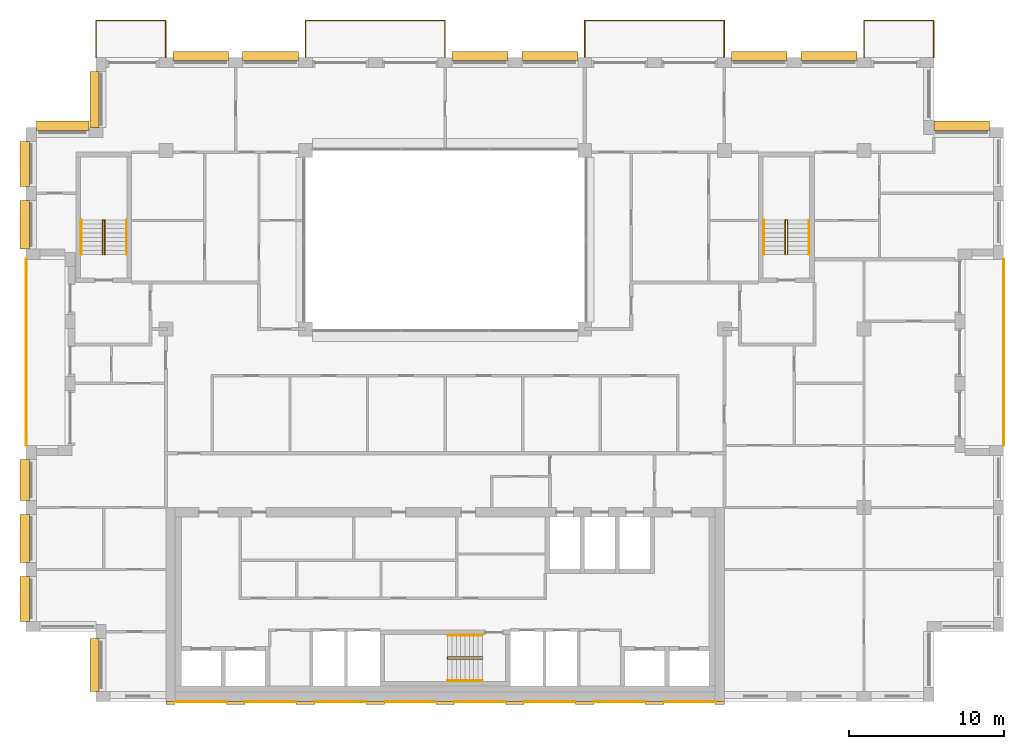
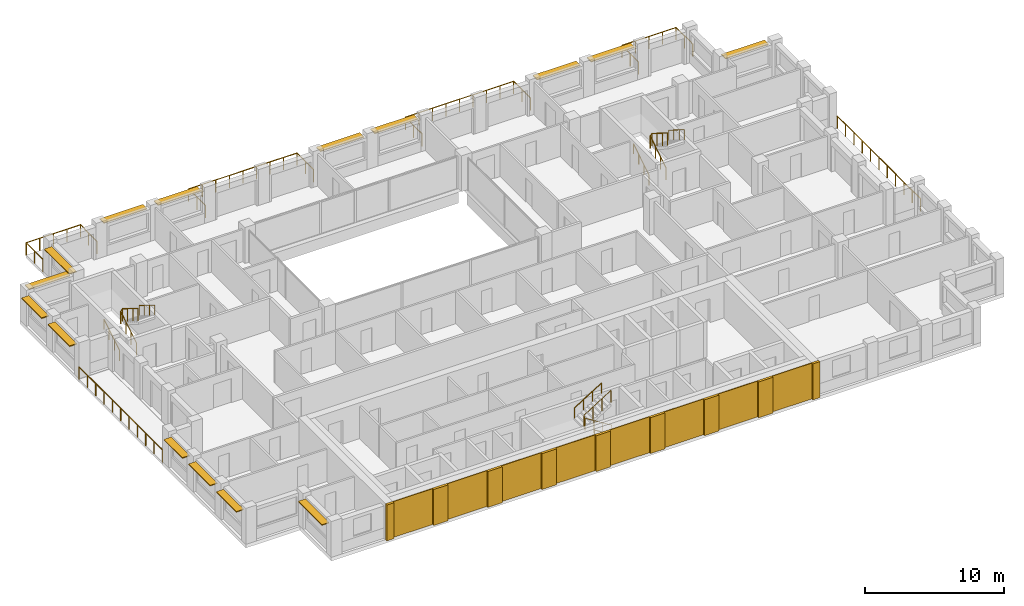
# One storey, part 15 of 15: 17 coverings, 15 railings, 15 shading devices.
"""IFC4 building model written with IfcOpenShell, lengths in metres."""

from ifc_helpers import new_model, si_unit, direction, frame, origin, origin_2d, place, context, subcontext, project, spatial, rectangle, circle, extrude, material, layer, layer_set, type_object, element, save


model = new_model("IFC4")

# Units and contexts
model_context = context("Model", 3, precision=1e-05, world=origin(), true_north=direction((0.0, 1.0)))
body_context = subcontext(model_context, "Body", "Model", "MODEL_VIEW")
ifc_project = project(units=[si_unit("LENGTHUNIT", "METRE"), si_unit("AREAUNIT", "SQUARE_METRE"), si_unit("VOLUMEUNIT", "CUBIC_METRE"), si_unit("PLANEANGLEUNIT", "RADIAN"), si_unit("MASSUNIT", "GRAM", prefix="KILO")], contexts=[model_context])

# Site, building, storey
site_placement = place(None, origin())
site = spatial("IfcSite", under=ifc_project, at=site_placement, CompositionType="ELEMENT")
building_placement = place(site_placement, origin())
building = spatial("IfcBuilding", under=site, at=building_placement, Name="Brigalow Station Residences", CompositionType="ELEMENT")
storey_placement = place(building_placement, frame((0.0, 0.0, 210.60009765625)))
storey = spatial("IfcBuildingStorey", under=building, at=storey_placement, Name="L60", CompositionType="ELEMENT", Elevation=210.60009765625)

# Railings
ifc_material_1 = material(Name="Stainless steel balustrade with laminated glass infill", Category="steel")
railing_type_1 = type_object("IfcRailingType", Name="BALCONY GUARD 1100", PredefinedType="GUARDRAIL", material=ifc_material_1)
railing_1_placement = place(storey_placement, frame((72.0, 16.5, -0.0400390625)))
element("IfcRailing", 1, at=railing_1_placement, inside=storey, type_object=railing_type_1, Name="L60/balcony-guard/1", PredefinedType="GUARDRAIL", context=body_context, shape_type="SweptSolid", body=[
    extrude(circle(Radius=0.02392578125, at=origin_2d()), frame((0.0, 0.0, 1.076171875), z_axis=(0.0, 1.0, 0.0), x_axis=(-1.0, 0.0, 0.0)), (0.0, 0.0, 1.0), 12.0),
    extrude(circle(Radius=0.02099609375, at=origin_2d()), origin(), (0.0, 0.0, 1.0), 1.052001953125),
    extrude(circle(Radius=0.02099609375, at=origin_2d()), frame((0.0, 1.199951171875, 0.0)), (0.0, 0.0, 1.0), 1.052001953125),
    extrude(circle(Radius=0.02099609375, at=origin_2d()), frame((0.0, 2.39990234375, 0.0)), (0.0, 0.0, 1.0), 1.052001953125),
    extrude(circle(Radius=0.02099609375, at=origin_2d()), frame((0.0, 3.60009765625, 0.0)), (0.0, 0.0, 1.0), 1.052001953125),
    extrude(circle(Radius=0.02099609375, at=origin_2d()), frame((0.0, 4.800048828125, 0.0)), (0.0, 0.0, 1.0), 1.052001953125),
    extrude(circle(Radius=0.02099609375, at=origin_2d()), frame((0.0, 6.0, 0.0)), (0.0, 0.0, 1.0), 1.052001953125),
    extrude(circle(Radius=0.02099609375, at=origin_2d()), frame((0.0, 7.199951171875, 0.0)), (0.0, 0.0, 1.0), 1.052001953125),
    extrude(circle(Radius=0.02099609375, at=origin_2d()), frame((0.0, 8.39990234375, 0.0)), (0.0, 0.0, 1.0), 1.052001953125),
    extrude(circle(Radius=0.02099609375, at=origin_2d()), frame((0.0, 9.60009765625, 0.0)), (0.0, 0.0, 1.0), 1.052001953125),
    extrude(circle(Radius=0.02099609375, at=origin_2d()), frame((0.0, 10.800048828125, 0.0)), (0.0, 0.0, 1.0), 1.052001953125),
    extrude(circle(Radius=0.02099609375, at=origin_2d()), frame((0.0, 12.0, 0.0)), (0.0, 0.0, 1.0), 1.052001953125),
])
railing_2_placement = place(storey_placement, frame((67.5, 41.5, -0.0400390625)))
element("IfcRailing", 2, at=railing_2_placement, inside=storey, type_object=railing_type_1, Name="L60/balcony-guard/2", PredefinedType="GUARDRAIL", context=body_context, shape_type="SweptSolid", body=[
    extrude(circle(Radius=0.02392578125, at=origin_2d()), frame((0.0, 0.0, 1.076171875), z_axis=(0.0, 1.0, 0.0), x_axis=(-1.0, 0.0, 0.0)), (0.0, 0.0, 1.0), 2.39990234375),
    extrude(circle(Radius=0.02392578125, at=origin_2d()), frame((0.0, 2.39990234375, 1.076171875), z_axis=(-1.0, 0.0, 0.0), x_axis=(0.0, -1.0, 0.0)), (0.0, 0.0, 1.0), 4.5),
    extrude(circle(Radius=0.02392578125, at=origin_2d()), frame((-4.5, 2.39990234375, 1.076171875), z_axis=(0.0, -1.0, 0.0), x_axis=(1.0, 0.0, 0.0)), (0.0, 0.0, 1.0), 2.39990234375),
    extrude(circle(Radius=0.02099609375, at=origin_2d()), origin(), (0.0, 0.0, 1.0), 1.052001953125),
    extrude(circle(Radius=0.02099609375, at=origin_2d()), frame((0.0, 1.199951171875, 0.0)), (0.0, 0.0, 1.0), 1.052001953125),
    extrude(circle(Radius=0.02099609375, at=origin_2d()), frame((0.0, 2.39990234375, 0.0)), (0.0, 0.0, 1.0), 1.052001953125),
    extrude(circle(Radius=0.02099609375, at=origin_2d()), frame((-1.125, 2.39990234375, 0.0)), (0.0, 0.0, 1.0), 1.052001953125),
    extrude(circle(Radius=0.02099609375, at=origin_2d()), frame((-2.25, 2.39990234375, 0.0)), (0.0, 0.0, 1.0), 1.052001953125),
    extrude(circle(Radius=0.02099609375, at=origin_2d()), frame((-3.375, 2.39990234375, 0.0)), (0.0, 0.0, 1.0), 1.052001953125),
    extrude(circle(Radius=0.02099609375, at=origin_2d()), frame((-4.5, 2.39990234375, 0.0)), (0.0, 0.0, 1.0), 1.052001953125),
    extrude(circle(Radius=0.02099609375, at=origin_2d()), frame((-4.5, 1.199951171875, 0.0)), (0.0, 0.0, 1.0), 1.052001953125),
    extrude(circle(Radius=0.02099609375, at=origin_2d()), frame((-4.5, 0.0, 0.0)), (0.0, 0.0, 1.0), 1.052001953125),
])
railing_3_placement = place(storey_placement, frame((54.0, 41.5, -0.0400390625)))
element("IfcRailing", 3, at=railing_3_placement, inside=storey, type_object=railing_type_1, Name="L60/balcony-guard/3", PredefinedType="GUARDRAIL", context=body_context, shape_type="SweptSolid", body=[
    extrude(circle(Radius=0.02392578125, at=origin_2d()), frame((0.0, 0.0, 1.076171875), z_axis=(0.0, 1.0, 0.0), x_axis=(-1.0, 0.0, 0.0)), (0.0, 0.0, 1.0), 2.39990234375),
    extrude(circle(Radius=0.02392578125, at=origin_2d()), frame((0.0, 2.39990234375, 1.076171875), z_axis=(-1.0, 0.0, 0.0), x_axis=(0.0, -1.0, 0.0)), (0.0, 0.0, 1.0), 9.0),
    extrude(circle(Radius=0.02392578125, at=origin_2d()), frame((-9.0, 2.39990234375, 1.076171875), z_axis=(0.0, -1.0, 0.0), x_axis=(1.0, 0.0, 0.0)), (0.0, 0.0, 1.0), 2.39990234375),
    extrude(circle(Radius=0.02099609375, at=origin_2d()), origin(), (0.0, 0.0, 1.0), 1.052001953125),
    extrude(circle(Radius=0.02099609375, at=origin_2d()), frame((0.0, 1.199951171875, 0.0)), (0.0, 0.0, 1.0), 1.052001953125),
    extrude(circle(Radius=0.02099609375, at=origin_2d()), frame((0.0, 2.39990234375, 0.0)), (0.0, 0.0, 1.0), 1.052001953125),
    extrude(circle(Radius=0.02099609375, at=origin_2d()), frame((-1.125, 2.39990234375, 0.0)), (0.0, 0.0, 1.0), 1.052001953125),
    extrude(circle(Radius=0.02099609375, at=origin_2d()), frame((-2.25, 2.39990234375, 0.0)), (0.0, 0.0, 1.0), 1.052001953125),
    extrude(circle(Radius=0.02099609375, at=origin_2d()), frame((-3.375, 2.39990234375, 0.0)), (0.0, 0.0, 1.0), 1.052001953125),
    extrude(circle(Radius=0.02099609375, at=origin_2d()), frame((-4.5, 2.39990234375, 0.0)), (0.0, 0.0, 1.0), 1.052001953125),
    extrude(circle(Radius=0.02099609375, at=origin_2d()), frame((-5.625, 2.39990234375, 0.0)), (0.0, 0.0, 1.0), 1.052001953125),
    extrude(circle(Radius=0.02099609375, at=origin_2d()), frame((-6.75, 2.39990234375, 0.0)), (0.0, 0.0, 1.0), 1.052001953125),
    extrude(circle(Radius=0.02099609375, at=origin_2d()), frame((-7.875, 2.39990234375, 0.0)), (0.0, 0.0, 1.0), 1.052001953125),
    extrude(circle(Radius=0.02099609375, at=origin_2d()), frame((-9.0, 2.39990234375, 0.0)), (0.0, 0.0, 1.0), 1.052001953125),
    extrude(circle(Radius=0.02099609375, at=origin_2d()), frame((-9.0, 1.199951171875, 0.0)), (0.0, 0.0, 1.0), 1.052001953125),
    extrude(circle(Radius=0.02099609375, at=origin_2d()), frame((-9.0, 0.0, 0.0)), (0.0, 0.0, 1.0), 1.052001953125),
])
railing_4_placement = place(storey_placement, frame((36.0, 41.5, -0.0400390625)))
element("IfcRailing", 4, at=railing_4_placement, inside=storey, type_object=railing_type_1, Name="L60/balcony-guard/4", PredefinedType="GUARDRAIL", context=body_context, shape_type="SweptSolid", body=[
    extrude(circle(Radius=0.02392578125, at=origin_2d()), frame((0.0, 0.0, 1.076171875), z_axis=(0.0, 1.0, 0.0), x_axis=(-1.0, 0.0, 0.0)), (0.0, 0.0, 1.0), 2.39990234375),
    extrude(circle(Radius=0.02392578125, at=origin_2d()), frame((0.0, 2.39990234375, 1.076171875), z_axis=(-1.0, 0.0, 0.0), x_axis=(0.0, -1.0, 0.0)), (0.0, 0.0, 1.0), 9.0),
    extrude(circle(Radius=0.02392578125, at=origin_2d()), frame((-9.0, 2.39990234375, 1.076171875), z_axis=(0.0, -1.0, 0.0), x_axis=(1.0, 0.0, 0.0)), (0.0, 0.0, 1.0), 2.39990234375),
    extrude(circle(Radius=0.02099609375, at=origin_2d()), origin(), (0.0, 0.0, 1.0), 1.052001953125),
    extrude(circle(Radius=0.02099609375, at=origin_2d()), frame((0.0, 1.199951171875, 0.0)), (0.0, 0.0, 1.0), 1.052001953125),
    extrude(circle(Radius=0.02099609375, at=origin_2d()), frame((0.0, 2.39990234375, 0.0)), (0.0, 0.0, 1.0), 1.052001953125),
    extrude(circle(Radius=0.02099609375, at=origin_2d()), frame((-1.125, 2.39990234375, 0.0)), (0.0, 0.0, 1.0), 1.052001953125),
    extrude(circle(Radius=0.02099609375, at=origin_2d()), frame((-2.25, 2.39990234375, 0.0)), (0.0, 0.0, 1.0), 1.052001953125),
    extrude(circle(Radius=0.02099609375, at=origin_2d()), frame((-3.375, 2.39990234375, 0.0)), (0.0, 0.0, 1.0), 1.052001953125),
    extrude(circle(Radius=0.02099609375, at=origin_2d()), frame((-4.5, 2.39990234375, 0.0)), (0.0, 0.0, 1.0), 1.052001953125),
    extrude(circle(Radius=0.02099609375, at=origin_2d()), frame((-5.625, 2.39990234375, 0.0)), (0.0, 0.0, 1.0), 1.052001953125),
    extrude(circle(Radius=0.02099609375, at=origin_2d()), frame((-6.75, 2.39990234375, 0.0)), (0.0, 0.0, 1.0), 1.052001953125),
    extrude(circle(Radius=0.02099609375, at=origin_2d()), frame((-7.875, 2.39990234375, 0.0)), (0.0, 0.0, 1.0), 1.052001953125),
    extrude(circle(Radius=0.02099609375, at=origin_2d()), frame((-9.0, 2.39990234375, 0.0)), (0.0, 0.0, 1.0), 1.052001953125),
    extrude(circle(Radius=0.02099609375, at=origin_2d()), frame((-9.0, 1.199951171875, 0.0)), (0.0, 0.0, 1.0), 1.052001953125),
    extrude(circle(Radius=0.02099609375, at=origin_2d()), frame((-9.0, 0.0, 0.0)), (0.0, 0.0, 1.0), 1.052001953125),
])
railing_5_placement = place(storey_placement, frame((18.0, 41.5, -0.0400390625)))
element("IfcRailing", 5, at=railing_5_placement, inside=storey, type_object=railing_type_1, Name="L60/balcony-guard/5", PredefinedType="GUARDRAIL", context=body_context, shape_type="SweptSolid", body=[
    extrude(circle(Radius=0.02392578125, at=origin_2d()), frame((0.0, 0.0, 1.076171875), z_axis=(0.0, 1.0, 0.0), x_axis=(-1.0, 0.0, 0.0)), (0.0, 0.0, 1.0), 2.39990234375),
    extrude(circle(Radius=0.02392578125, at=origin_2d()), frame((0.0, 2.39990234375, 1.076171875), z_axis=(-1.0, 0.0, 0.0), x_axis=(0.0, -1.0, 0.0)), (0.0, 0.0, 1.0), 4.5),
    extrude(circle(Radius=0.02392578125, at=origin_2d()), frame((-4.5, 2.39990234375, 1.076171875), z_axis=(0.0, -1.0, 0.0), x_axis=(1.0, 0.0, 0.0)), (0.0, 0.0, 1.0), 2.39990234375),
    extrude(circle(Radius=0.02099609375, at=origin_2d()), origin(), (0.0, 0.0, 1.0), 1.052001953125),
    extrude(circle(Radius=0.02099609375, at=origin_2d()), frame((0.0, 1.199951171875, 0.0)), (0.0, 0.0, 1.0), 1.052001953125),
    extrude(circle(Radius=0.02099609375, at=origin_2d()), frame((0.0, 2.39990234375, 0.0)), (0.0, 0.0, 1.0), 1.052001953125),
    extrude(circle(Radius=0.02099609375, at=origin_2d()), frame((-1.125, 2.39990234375, 0.0)), (0.0, 0.0, 1.0), 1.052001953125),
    extrude(circle(Radius=0.02099609375, at=origin_2d()), frame((-2.25, 2.39990234375, 0.0)), (0.0, 0.0, 1.0), 1.052001953125),
    extrude(circle(Radius=0.02099609375, at=origin_2d()), frame((-3.375, 2.39990234375, 0.0)), (0.0, 0.0, 1.0), 1.052001953125),
    extrude(circle(Radius=0.02099609375, at=origin_2d()), frame((-4.5, 2.39990234375, 0.0)), (0.0, 0.0, 1.0), 1.052001953125),
    extrude(circle(Radius=0.02099609375, at=origin_2d()), frame((-4.5, 1.199951171875, 0.0)), (0.0, 0.0, 1.0), 1.052001953125),
    extrude(circle(Radius=0.02099609375, at=origin_2d()), frame((-4.5, 0.0, 0.0)), (0.0, 0.0, 1.0), 1.052001953125),
])
railing_6_placement = place(storey_placement, frame((9.0, 28.5, -0.0400390625)))
element("IfcRailing", 6, at=railing_6_placement, inside=storey, type_object=railing_type_1, Name="L60/balcony-guard/6", PredefinedType="GUARDRAIL", context=body_context, shape_type="SweptSolid", body=[
    extrude(circle(Radius=0.02392578125, at=origin_2d()), frame((0.0, 0.0, 1.076171875), z_axis=(0.0, -1.0, 0.0), x_axis=(1.0, 0.0, 0.0)), (0.0, 0.0, 1.0), 12.0),
    extrude(circle(Radius=0.02099609375, at=origin_2d()), origin(), (0.0, 0.0, 1.0), 1.052001953125),
    extrude(circle(Radius=0.02099609375, at=origin_2d()), frame((0.0, -1.199951171875, 0.0)), (0.0, 0.0, 1.0), 1.052001953125),
    extrude(circle(Radius=0.02099609375, at=origin_2d()), frame((0.0, -2.39990234375, 0.0)), (0.0, 0.0, 1.0), 1.052001953125),
    extrude(circle(Radius=0.02099609375, at=origin_2d()), frame((0.0, -3.60009765625, 0.0)), (0.0, 0.0, 1.0), 1.052001953125),
    extrude(circle(Radius=0.02099609375, at=origin_2d()), frame((0.0, -4.800048828125, 0.0)), (0.0, 0.0, 1.0), 1.052001953125),
    extrude(circle(Radius=0.02099609375, at=origin_2d()), frame((0.0, -6.0, 0.0)), (0.0, 0.0, 1.0), 1.052001953125),
    extrude(circle(Radius=0.02099609375, at=origin_2d()), frame((0.0, -7.199951171875, 0.0)), (0.0, 0.0, 1.0), 1.052001953125),
    extrude(circle(Radius=0.02099609375, at=origin_2d()), frame((0.0, -8.39990234375, 0.0)), (0.0, 0.0, 1.0), 1.052001953125),
    extrude(circle(Radius=0.02099609375, at=origin_2d()), frame((0.0, -9.60009765625, 0.0)), (0.0, 0.0, 1.0), 1.052001953125),
    extrude(circle(Radius=0.02099609375, at=origin_2d()), frame((0.0, -10.800048828125, 0.0)), (0.0, 0.0, 1.0), 1.052001953125),
    extrude(circle(Radius=0.02099609375, at=origin_2d()), frame((0.0, -12.0, 0.0)), (0.0, 0.0, 1.0), 1.052001953125),
])

# Coverings
ifc_material_2 = material(Name="Clay brick masonry", Category="masonry")
ifc_layer_1 = layer(ifc_material_2, 0.06005859375)
ifc_layer_set_1 = layer_set([ifc_layer_1], Name="BRICK PANEL FACING 60")
covering_type_1 = type_object("IfcCoveringType", Name="BRICK PANEL FACING 60", PredefinedType="CLADDING", material=ifc_layer_set_1)
for number, where, z_axis, x_axis, name in (
    (7, (20.25, -0.030029296875, 0.0), (0.0, 0.0, 1.0), (1.0, 0.0, 0.0), "L60/rear-facing/panel-1"),
    (8, (24.75, -0.030029296875, 0.0), (0.0, 0.0, 1.0), (1.0, 0.0, 0.0), "L60/rear-facing/panel-2"),
    (9, (29.25, -0.030029296875, 0.0), (0.0, 0.0, 1.0), (1.0, 0.0, 0.0), "L60/rear-facing/panel-3"),
    (10, (33.75, -0.030029296875, 0.0), (0.0, 0.0, 1.0), (1.0, 0.0, 0.0), "L60/rear-facing/panel-4"),
    (11, (38.25, -0.030029296875, 0.0), (0.0, 0.0, 1.0), (1.0, 0.0, 0.0), "L60/rear-facing/panel-5"),
    (12, (42.75, -0.030029296875, 0.0), (0.0, 0.0, 1.0), (1.0, 0.0, 0.0), "L60/rear-facing/panel-6"),
    (13, (47.25, -0.030029296875, 0.0), (0.0, 0.0, 1.0), (1.0, 0.0, 0.0), "L60/rear-facing/panel-7"),
    (14, (51.75, -0.030029296875, 0.0), (0.0, 0.0, 1.0), (1.0, 0.0, 0.0), "L60/rear-facing/panel-8"),
):
    element("IfcCovering", number, at=place(storey_placement, frame(where, z_axis=z_axis, x_axis=x_axis)), inside=storey, type_object=covering_type_1, Name=name, PredefinedType="CLADDING", context=body_context, shape_type="SweptSolid", body=[
        extrude(rectangle(XDim=3.300048828125, YDim=0.06005859375, at=origin_2d()), origin(), (0.0, 0.0, 1.0), 3.14990234375),
    ])
ifc_material_3 = material(Name="Clay brick masonry", Category="masonry")
ifc_layer_2 = layer(ifc_material_3, 0.199951171875)
ifc_layer_set_2 = layer_set([ifc_layer_2], Name="BRICK PIER FACING 200")
covering_type_2 = type_object("IfcCoveringType", Name="BRICK PIER FACING 200", PredefinedType="CLADDING", material=ifc_layer_set_2)
covering_1_placement = place(storey_placement, frame((18.300048828125, -0.10009765625, 0.0), z_axis=(0.0, 0.0, 1.0), x_axis=(1.0, 0.0, 0.0)))
element("IfcCovering", 15, at=covering_1_placement, inside=storey, type_object=covering_type_2, Name="L60/rear-facing/pier-1", PredefinedType="CLADDING", context=body_context, shape_type="SweptSolid", body=[
    extrude(rectangle(XDim=0.60009765625, YDim=0.199951171875, at=origin_2d()), origin(), (0.0, 0.0, 1.0), 3.14990234375),
])
for number, where, z_axis, x_axis, name in (
    (16, (22.5, -0.10009765625, 0.0), (0.0, 0.0, 1.0), (1.0, 0.0, 0.0), "L60/rear-facing/pier-2"),
    (17, (27.0, -0.10009765625, 0.0), (0.0, 0.0, 1.0), (1.0, 0.0, 0.0), "L60/rear-facing/pier-3"),
    (18, (31.5, -0.10009765625, 0.0), (0.0, 0.0, 1.0), (1.0, 0.0, 0.0), "L60/rear-facing/pier-4"),
    (19, (36.0, -0.10009765625, 0.0), (0.0, 0.0, 1.0), (1.0, 0.0, 0.0), "L60/rear-facing/pier-5"),
    (20, (40.5, -0.10009765625, 0.0), (0.0, 0.0, 1.0), (1.0, 0.0, 0.0), "L60/rear-facing/pier-6"),
    (21, (45.0, -0.10009765625, 0.0), (0.0, 0.0, 1.0), (1.0, 0.0, 0.0), "L60/rear-facing/pier-7"),
    (22, (49.5, -0.10009765625, 0.0), (0.0, 0.0, 1.0), (1.0, 0.0, 0.0), "L60/rear-facing/pier-8"),
):
    element("IfcCovering", number, at=place(storey_placement, frame(where, z_axis=z_axis, x_axis=x_axis)), inside=storey, type_object=covering_type_2, Name=name, PredefinedType="CLADDING", context=body_context, shape_type="SweptSolid", body=[
        extrude(rectangle(XDim=1.199951171875, YDim=0.199951171875, at=origin_2d()), origin(), (0.0, 0.0, 1.0), 3.14990234375),
    ])
covering_2_placement = place(storey_placement, frame((53.699951171875, -0.10009765625, 0.0), z_axis=(0.0, 0.0, 1.0), x_axis=(1.0, 0.0, 0.0)))
element("IfcCovering", 23, at=covering_2_placement, inside=storey, type_object=covering_type_2, Name="L60/rear-facing/pier-9", PredefinedType="CLADDING", context=body_context, shape_type="SweptSolid", body=[
    extrude(rectangle(XDim=0.60009765625, YDim=0.199951171875, at=origin_2d()), origin(), (0.0, 0.0, 1.0), 3.14990234375),
])

# Railings
ifc_material_4 = material(Name="Stainless steel balustrade", Category="steel")
railing_type_2 = type_object("IfcRailingType", Name="STAIR GUARD 1100", PredefinedType="GUARDRAIL", material=ifc_material_4)
railing_7_placement = place(storey_placement, frame((38.39990234375, 2.72998046875, 0.1748046875)))
element("IfcRailing", 24, at=railing_7_placement, inside=storey, type_object=railing_type_2, Name="GUARD GR-2", PredefinedType="GUARDRAIL", context=body_context, shape_type="SweptSolid", body=[
    extrude(circle(Radius=0.02392578125, at=origin_2d()), frame((0.0, 0.0, 1.076171875), z_axis=(-0.847972341737, 0.0, 0.530040477369), x_axis=(0.0, -1.0, 0.0)), (0.0, 0.0, 1.0), 2.6416015625),
    extrude(circle(Radius=0.02392578125, at=origin_2d()), frame((-2.239990234375, 0.0, 2.47607421875), z_axis=(0.0, 0.624960567888, 0.780656319122), x_axis=(-1.0, 0.0, 0.0)), (0.0, 0.0, 1.0), 0.22412109375),
    extrude(circle(Radius=0.02392578125, at=origin_2d()), frame((-2.239990234375, 0.14013671875, 2.6513671875), z_axis=(0.848013881152, 0.0, 0.529974015752), x_axis=(0.0, 1.0, 0.0)), (0.0, 0.0, 1.0), 2.641357421875),
    extrude(circle(Radius=0.02099609375, at=origin_2d()), origin(), (0.0, 0.0, 1.0), 1.052001953125),
    extrude(circle(Radius=0.02099609375, at=origin_2d()), frame((-0.74658203125, 0.0, 0.466796875)), (0.0, 0.0, 1.0), 1.052001953125),
    extrude(circle(Radius=0.02099609375, at=origin_2d()), frame((-1.493408203125, 0.0, 0.933349609375)), (0.0, 0.0, 1.0), 1.052001953125),
    extrude(circle(Radius=0.02099609375, at=origin_2d()), frame((-2.239990234375, 0.0, 1.400146484375)), (0.0, 0.0, 1.0), 1.052001953125),
    extrude(circle(Radius=0.02099609375, at=origin_2d()), frame((-2.239990234375, 0.14013671875, 1.5751953125)), (0.0, 0.0, 1.0), 1.052001953125),
    extrude(circle(Radius=0.02099609375, at=origin_2d()), frame((-1.493408203125, 0.14013671875, 2.041748046875)), (0.0, 0.0, 1.0), 1.052001953125),
    extrude(circle(Radius=0.02099609375, at=origin_2d()), frame((-0.74658203125, 0.14013671875, 2.508544921875)), (0.0, 0.0, 1.0), 1.052001953125),
    extrude(circle(Radius=0.02099609375, at=origin_2d()), frame((0.0, 0.14013671875, 2.97509765625)), (0.0, 0.0, 1.0), 1.052001953125),
])
for number, where, name in (
    (25, (13.929931640625, 28.800048828125, 0.1748046875), "GUARD GR-1"),
    (26, (57.929931640625, 28.800048828125, 0.1748046875), "GUARD GR-3"),
):
    element("IfcRailing", number, at=place(storey_placement, frame(where)), inside=storey, type_object=railing_type_2, Name=name, PredefinedType="GUARDRAIL", context=body_context, shape_type="SweptSolid", body=[
        extrude(circle(Radius=0.02392578125, at=origin_2d()), frame((0.0, 0.0, 1.076171875), z_axis=(0.0, 0.847972341737, 0.530040477369), x_axis=(-1.0, 0.0, 0.0)), (0.0, 0.0, 1.0), 2.6416015625),
        extrude(circle(Radius=0.02392578125, at=origin_2d()), frame((0.0, 2.239990234375, 2.47607421875), z_axis=(0.624960567888, 0.0, 0.780656319122), x_axis=(0.0, 1.0, 0.0)), (0.0, 0.0, 1.0), 0.22412109375),
        extrude(circle(Radius=0.02392578125, at=origin_2d()), frame((0.14013671875, 2.239990234375, 2.6513671875), z_axis=(0.0, -0.848013881152, 0.529974015752), x_axis=(1.0, 0.0, 0.0)), (0.0, 0.0, 1.0), 2.641357421875),
        extrude(circle(Radius=0.02099609375, at=origin_2d()), origin(), (0.0, 0.0, 1.0), 1.052001953125),
        extrude(circle(Radius=0.02099609375, at=origin_2d()), frame((0.0, 0.74658203125, 0.466796875)), (0.0, 0.0, 1.0), 1.052001953125),
        extrude(circle(Radius=0.02099609375, at=origin_2d()), frame((0.0, 1.493408203125, 0.933349609375)), (0.0, 0.0, 1.0), 1.052001953125),
        extrude(circle(Radius=0.02099609375, at=origin_2d()), frame((0.0, 2.239990234375, 1.400146484375)), (0.0, 0.0, 1.0), 1.052001953125),
        extrude(circle(Radius=0.02099609375, at=origin_2d()), frame((0.14013671875, 2.239990234375, 1.5751953125)), (0.0, 0.0, 1.0), 1.052001953125),
        extrude(circle(Radius=0.02099609375, at=origin_2d()), frame((0.14013671875, 1.493408203125, 2.041748046875)), (0.0, 0.0, 1.0), 1.052001953125),
        extrude(circle(Radius=0.02099609375, at=origin_2d()), frame((0.14013671875, 0.74658203125, 2.508544921875)), (0.0, 0.0, 1.0), 1.052001953125),
        extrude(circle(Radius=0.02099609375, at=origin_2d()), frame((0.14013671875, 0.0, 2.97509765625)), (0.0, 0.0, 1.0), 1.052001953125),
    ])
ifc_material_5 = material(Name="Stainless steel handrail", Category="steel")
railing_type_3 = type_object("IfcRailingType", Name="STAIR HANDRAIL 900", PredefinedType="HANDRAIL", material=ifc_material_5)
railing_8_placement = place(storey_placement, frame((38.39990234375, 1.340087890625, 0.1748046875)))
element("IfcRailing", 27, at=railing_8_placement, inside=storey, type_object=railing_type_3, Name="HANDRAIL HR-21", PredefinedType="HANDRAIL", context=body_context, shape_type="SweptSolid", body=[
    extrude(circle(Radius=0.02392578125, at=origin_2d()), frame((0.0, 0.0, 0.8759765625), z_axis=(-0.847972341737, 0.0, 0.530040477369), x_axis=(0.0, -1.0, 0.0)), (0.0, 0.0, 1.0), 2.6416015625),
    extrude(circle(Radius=0.02099609375, at=origin_2d()), origin(), (0.0, 0.0, 1.0), 0.851806640625),
    extrude(circle(Radius=0.02099609375, at=origin_2d()), frame((-0.74658203125, 0.0, 0.466796875)), (0.0, 0.0, 1.0), 0.851806640625),
    extrude(circle(Radius=0.02099609375, at=origin_2d()), frame((-1.493408203125, 0.0, 0.933349609375)), (0.0, 0.0, 1.0), 0.851806640625),
    extrude(circle(Radius=0.02099609375, at=origin_2d()), frame((-2.239990234375, 0.0, 1.400146484375)), (0.0, 0.0, 1.0), 0.851806640625),
])
railing_9_placement = place(storey_placement, frame((36.159912109375, 4.260009765625, 1.75)))
element("IfcRailing", 28, at=railing_9_placement, inside=storey, type_object=railing_type_3, Name="HANDRAIL HR-22", PredefinedType="HANDRAIL", context=body_context, shape_type="SweptSolid", body=[
    extrude(circle(Radius=0.02392578125, at=origin_2d()), frame((0.0, 0.0, 0.8759765625), z_axis=(0.848013881152, 0.0, 0.529974015752), x_axis=(0.0, 1.0, 0.0)), (0.0, 0.0, 1.0), 2.641357421875),
    extrude(circle(Radius=0.02099609375, at=origin_2d()), origin(), (0.0, 0.0, 1.0), 0.851806640625),
    extrude(circle(Radius=0.02099609375, at=origin_2d()), frame((0.74658203125, 0.0, 0.466552734375)), (0.0, 0.0, 1.0), 0.851806640625),
    extrude(circle(Radius=0.02099609375, at=origin_2d()), frame((1.493408203125, 0.0, 0.933349609375)), (0.0, 0.0, 1.0), 0.851806640625),
    extrude(circle(Radius=0.02099609375, at=origin_2d()), frame((2.239990234375, 0.0, 1.39990234375)), (0.0, 0.0, 1.0), 0.851806640625),
])
railing_10_placement = place(storey_placement, frame((12.5400390625, 28.800048828125, 0.1748046875)))
element("IfcRailing", 29, at=railing_10_placement, inside=storey, type_object=railing_type_3, Name="HANDRAIL HR-11", PredefinedType="HANDRAIL", context=body_context, shape_type="SweptSolid", body=[
    extrude(circle(Radius=0.02392578125, at=origin_2d()), frame((0.0, 0.0, 0.8759765625), z_axis=(0.0, 0.847972341737, 0.530040477369), x_axis=(-1.0, 0.0, 0.0)), (0.0, 0.0, 1.0), 2.6416015625),
    extrude(circle(Radius=0.02099609375, at=origin_2d()), origin(), (0.0, 0.0, 1.0), 0.851806640625),
    extrude(circle(Radius=0.02099609375, at=origin_2d()), frame((0.0, 0.74658203125, 0.466796875)), (0.0, 0.0, 1.0), 0.851806640625),
    extrude(circle(Radius=0.02099609375, at=origin_2d()), frame((0.0, 1.493408203125, 0.933349609375)), (0.0, 0.0, 1.0), 0.851806640625),
    extrude(circle(Radius=0.02099609375, at=origin_2d()), frame((0.0, 2.239990234375, 1.400146484375)), (0.0, 0.0, 1.0), 0.851806640625),
])
railing_11_placement = place(storey_placement, frame((15.4599609375, 31.0400390625, 1.75)))
element("IfcRailing", 30, at=railing_11_placement, inside=storey, type_object=railing_type_3, Name="HANDRAIL HR-12", PredefinedType="HANDRAIL", context=body_context, shape_type="SweptSolid", body=[
    extrude(circle(Radius=0.02392578125, at=origin_2d()), frame((0.0, 0.0, 0.8759765625), z_axis=(0.0, -0.848013881152, 0.529974015752), x_axis=(1.0, 0.0, 0.0)), (0.0, 0.0, 1.0), 2.641357421875),
    extrude(circle(Radius=0.02099609375, at=origin_2d()), origin(), (0.0, 0.0, 1.0), 0.851806640625),
    extrude(circle(Radius=0.02099609375, at=origin_2d()), frame((0.0, -0.74658203125, 0.466552734375)), (0.0, 0.0, 1.0), 0.851806640625),
    extrude(circle(Radius=0.02099609375, at=origin_2d()), frame((0.0, -1.493408203125, 0.933349609375)), (0.0, 0.0, 1.0), 0.851806640625),
    extrude(circle(Radius=0.02099609375, at=origin_2d()), frame((0.0, -2.239990234375, 1.39990234375)), (0.0, 0.0, 1.0), 0.851806640625),
])
railing_12_placement = place(storey_placement, frame((56.5400390625, 28.800048828125, 0.1748046875)))
element("IfcRailing", 31, at=railing_12_placement, inside=storey, type_object=railing_type_3, Name="HANDRAIL HR-31", PredefinedType="HANDRAIL", context=body_context, shape_type="SweptSolid", body=[
    extrude(circle(Radius=0.02392578125, at=origin_2d()), frame((0.0, 0.0, 0.8759765625), z_axis=(0.0, 0.847972341737, 0.530040477369), x_axis=(-1.0, 0.0, 0.0)), (0.0, 0.0, 1.0), 2.6416015625),
    extrude(circle(Radius=0.02099609375, at=origin_2d()), origin(), (0.0, 0.0, 1.0), 0.851806640625),
    extrude(circle(Radius=0.02099609375, at=origin_2d()), frame((0.0, 0.74658203125, 0.466796875)), (0.0, 0.0, 1.0), 0.851806640625),
    extrude(circle(Radius=0.02099609375, at=origin_2d()), frame((0.0, 1.493408203125, 0.933349609375)), (0.0, 0.0, 1.0), 0.851806640625),
    extrude(circle(Radius=0.02099609375, at=origin_2d()), frame((0.0, 2.239990234375, 1.400146484375)), (0.0, 0.0, 1.0), 0.851806640625),
])
railing_13_placement = place(storey_placement, frame((59.4599609375, 31.0400390625, 1.75)))
element("IfcRailing", 32, at=railing_13_placement, inside=storey, type_object=railing_type_3, Name="HANDRAIL HR-32", PredefinedType="HANDRAIL", context=body_context, shape_type="SweptSolid", body=[
    extrude(circle(Radius=0.02392578125, at=origin_2d()), frame((0.0, 0.0, 0.8759765625), z_axis=(0.0, -0.848013881152, 0.529974015752), x_axis=(1.0, 0.0, 0.0)), (0.0, 0.0, 1.0), 2.641357421875),
    extrude(circle(Radius=0.02099609375, at=origin_2d()), origin(), (0.0, 0.0, 1.0), 0.851806640625),
    extrude(circle(Radius=0.02099609375, at=origin_2d()), frame((0.0, -0.74658203125, 0.466552734375)), (0.0, 0.0, 1.0), 0.851806640625),
    extrude(circle(Radius=0.02099609375, at=origin_2d()), frame((0.0, -1.493408203125, 0.933349609375)), (0.0, 0.0, 1.0), 0.851806640625),
    extrude(circle(Radius=0.02099609375, at=origin_2d()), frame((0.0, -2.239990234375, 1.39990234375)), (0.0, 0.0, 1.0), 0.851806640625),
])

# Shading devices
ifc_material_6 = material(Name="Powder-coated extruded aluminium blade", Category="aluminium")
ifc_layer_3 = layer(ifc_material_6, 0.080078125)
ifc_layer_set_3 = layer_set([ifc_layer_3], Name="SUNSHADE BLADE 600x80")
shading_device_type = type_object("IfcShadingDeviceType", Name="SUNSHADE BLADE 600x80", PredefinedType="JALOUSIE", material=ifc_layer_set_3)
for number, where, z_axis, x_axis, name in (
    (33, (69.300048828125, 37.10009765625, 2.5498046875), (0.0, 0.0, 1.0), (-1.0, 0.0, 0.0), "L60/blade/W-L60-18"),
    (34, (60.75, 41.60009765625, 2.5498046875), (0.0, 0.0, 1.0), (-1.0, 0.0, 0.0), "L60/blade/W-L60-21"),
    (35, (56.25, 41.60009765625, 2.5498046875), (0.0, 0.0, 1.0), (-1.0, 0.0, 0.0), "L60/blade/W-L60-22"),
    (36, (42.75, 41.60009765625, 2.5498046875), (0.0, 0.0, 1.0), (-1.0, 0.0, 0.0), "L60/blade/W-L60-25"),
    (37, (38.25, 41.60009765625, 2.5498046875), (0.0, 0.0, 1.0), (-1.0, 0.0, 0.0), "L60/blade/W-L60-26"),
    (38, (24.75, 41.60009765625, 2.5498046875), (0.0, 0.0, 1.0), (-1.0, 0.0, 0.0), "L60/blade/W-L60-29"),
    (39, (20.25, 41.60009765625, 2.5498046875), (0.0, 0.0, 1.0), (-1.0, 0.0, 0.0), "L60/blade/W-L60-30"),
    (40, (13.39990234375, 38.800048828125, 2.5498046875), (0.0, 0.0, 1.0), (0.0, -1.0, 0.0), "L60/blade/W-L60-32"),
):
    element("IfcShadingDevice", number, at=place(storey_placement, frame(where, z_axis=z_axis, x_axis=x_axis)), inside=storey, type_object=shading_device_type, Name=name, PredefinedType="JALOUSIE", context=body_context, shape_type="SweptSolid", body=[
        extrude(rectangle(XDim=3.60009765625, YDim=0.60009765625, at=origin_2d()), origin(), (0.0, 0.0, 1.0), 0.080078125),
    ])
shading_device_1_placement = place(storey_placement, frame((11.35009765625, 37.10009765625, 2.5498046875), z_axis=(0.0, 0.0, 1.0), x_axis=(-1.0, 0.0, 0.0)))
element("IfcShadingDevice", 41, at=shading_device_1_placement, inside=storey, type_object=shading_device_type, Name="L60/blade/W-L60-33", PredefinedType="JALOUSIE", context=body_context, shape_type="SweptSolid", body=[
    extrude(rectangle(XDim=3.39990234375, YDim=0.60009765625, at=origin_2d()), origin(), (0.0, 0.0, 1.0), 0.080078125),
])
shading_device_2_placement = place(storey_placement, frame((8.89990234375, 34.64990234375, 2.5498046875), z_axis=(0.0, 0.0, 1.0), x_axis=(0.0, -1.0, 0.0)))
element("IfcShadingDevice", 42, at=shading_device_2_placement, inside=storey, type_object=shading_device_type, Name="L60/blade/W-L60-34", PredefinedType="JALOUSIE", context=body_context, shape_type="SweptSolid", body=[
    extrude(rectangle(XDim=2.89990234375, YDim=0.60009765625, at=origin_2d()), origin(), (0.0, 0.0, 1.0), 0.080078125),
])
shading_device_3_placement = place(storey_placement, frame((8.89990234375, 30.72509765625, 2.5498046875), z_axis=(0.0, 0.0, 1.0), x_axis=(0.0, -1.0, 0.0)))
element("IfcShadingDevice", 43, at=shading_device_3_placement, inside=storey, type_object=shading_device_type, Name="L60/blade/W-L60-35", PredefinedType="JALOUSIE", context=body_context, shape_type="SweptSolid", body=[
    extrude(rectangle(XDim=3.14990234375, YDim=0.60009765625, at=origin_2d()), origin(), (0.0, 0.0, 1.0), 0.080078125),
])
shading_device_4_placement = place(storey_placement, frame((8.89990234375, 14.27490234375, 2.5498046875), z_axis=(0.0, 0.0, 1.0), x_axis=(0.0, -1.0, 0.0)))
element("IfcShadingDevice", 44, at=shading_device_4_placement, inside=storey, type_object=shading_device_type, Name="L60/blade/W-L60-41", PredefinedType="JALOUSIE", context=body_context, shape_type="SweptSolid", body=[
    extrude(rectangle(XDim=2.64990234375, YDim=0.60009765625, at=origin_2d()), origin(), (0.0, 0.0, 1.0), 0.080078125),
])
shading_device_5_placement = place(storey_placement, frame((8.89990234375, 10.5, 2.5498046875), z_axis=(0.0, 0.0, 1.0), x_axis=(0.0, -1.0, 0.0)))
element("IfcShadingDevice", 45, at=shading_device_5_placement, inside=storey, type_object=shading_device_type, Name="L60/blade/W-L60-42", PredefinedType="JALOUSIE", context=body_context, shape_type="SweptSolid", body=[
    extrude(rectangle(XDim=3.10009765625, YDim=0.60009765625, at=origin_2d()), origin(), (0.0, 0.0, 1.0), 0.080078125),
])
shading_device_6_placement = place(storey_placement, frame((8.89990234375, 6.60009765625, 2.5498046875), z_axis=(0.0, 0.0, 1.0), x_axis=(0.0, -1.0, 0.0)))
element("IfcShadingDevice", 46, at=shading_device_6_placement, inside=storey, type_object=shading_device_type, Name="L60/blade/W-L60-43", PredefinedType="JALOUSIE", context=body_context, shape_type="SweptSolid", body=[
    extrude(rectangle(XDim=2.89990234375, YDim=0.60009765625, at=origin_2d()), origin(), (0.0, 0.0, 1.0), 0.080078125),
])
shading_device_7_placement = place(storey_placement, frame((13.39990234375, 2.35009765625, 2.5498046875), z_axis=(0.0, 0.0, 1.0), x_axis=(0.0, -1.0, 0.0)))
element("IfcShadingDevice", 47, at=shading_device_7_placement, inside=storey, type_object=shading_device_type, Name="L60/blade/W-L60-45", PredefinedType="JALOUSIE", context=body_context, shape_type="SweptSolid", body=[
    extrude(rectangle(XDim=3.39990234375, YDim=0.60009765625, at=origin_2d()), origin(), (0.0, 0.0, 1.0), 0.080078125),
])

save(model, "model.ifc")
